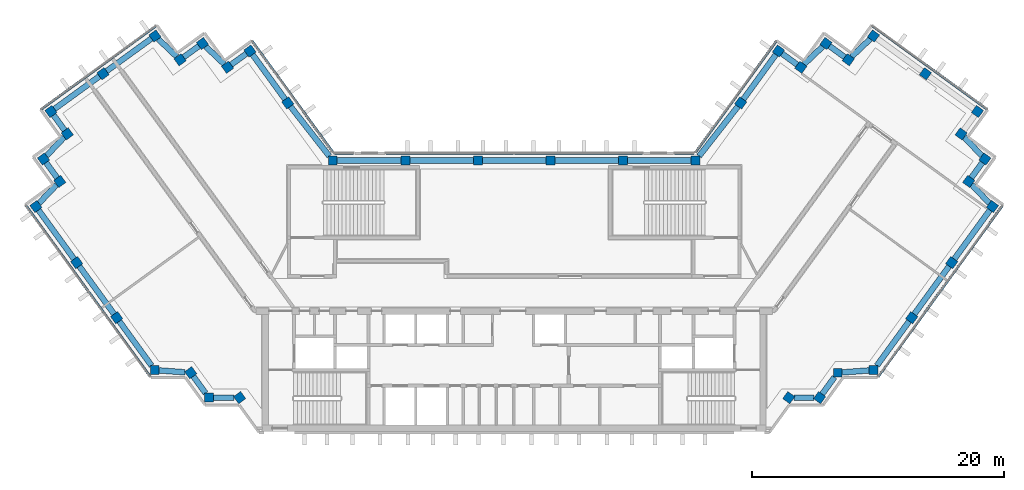
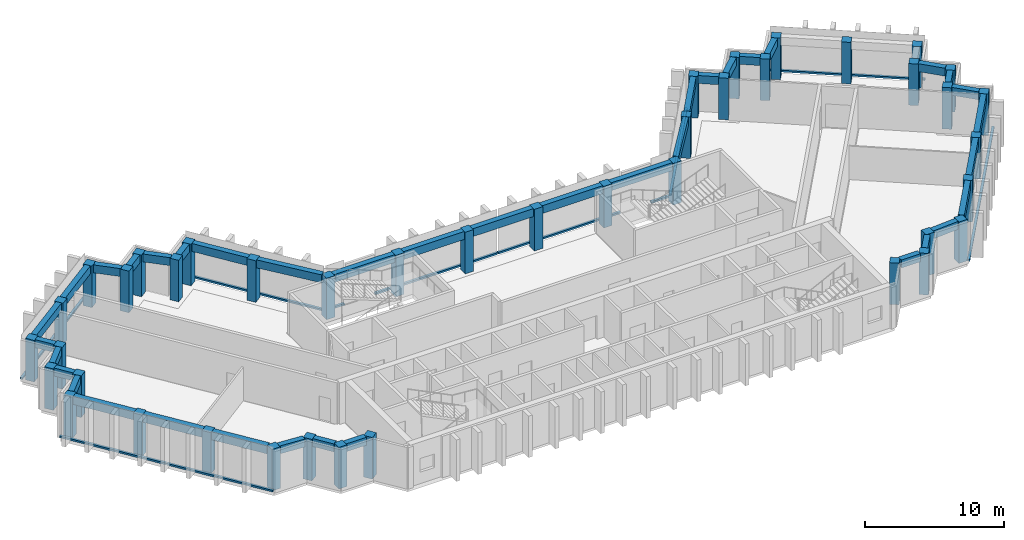
"""IFC4 building model written with IfcOpenShell, lengths in metres."""

import ifcopenshell
import ifcopenshell.guid

model = None  # the IFC model being written
_history = None  # IfcOwnerHistory: only IFC2X3 demands one
_inside = {}  # id of a spatial element -> (the spatial element, [elements in it])
_under = {}  # id of a project, library or spatial element -> (it, [spatial elements below it])
_declared = {}  # id of a project -> (the project, [libraries it declares])
_typed = {}  # id of a type object -> (the type object, [elements of that type])
_made_of = {}  # id of a material, layer set ... -> (it, [elements and type objects made of it])


def new_model(schema):
    """Start an empty IFC model of exactly this schema.

    Asked for "IFC4X3", IfcOpenShell would pick the latest addendum, in which some entities
    have other attributes; the version numbers below select the first issue.
    IFC2X3 requires an IfcOwnerHistory on every rooted entity: one is made here for all.
    """
    global model, _history
    if schema == "IFC4X3":
        model = ifcopenshell.file(schema_version=(4, 3, 0, 0))
    else:
        model = ifcopenshell.file(schema=schema)
    _inside.clear()
    _under.clear()
    _declared.clear()
    _typed.clear()
    _made_of.clear()
    _history = None
    if model.schema == "IFC2X3":
        org = make("IfcOrganization", Name="unknown")
        user = make(
            "IfcPersonAndOrganization",
            ThePerson=make("IfcPerson", FamilyName="unknown"),
            TheOrganization=org,
        )
        app = make(
            "IfcApplication",
            ApplicationDeveloper=org,
            Version="unknown",
            ApplicationFullName="unknown",
            ApplicationIdentifier="unknown",
        )
        _history = make(
            "IfcOwnerHistory",
            OwningUser=user,
            OwningApplication=app,
            ChangeAction="ADDED",
            CreationDate=0,
        )
    return model


def make(cls, **values):
    """One entity of the class cls with the attributes given. An attribute that is None is left unset."""
    return model.create_entity(
        cls, **{name: value for name, value in values.items() if value is not None}
    )


def rooted(cls, **values):
    """An entity with a GlobalId (a new one), such as an element, a storey or a relation."""
    return make(cls, GlobalId=ifcopenshell.guid.new(), OwnerHistory=_history, **values)


def si_unit(unit_type, name, prefix=None):
    """IfcSIUnit, for example si_unit("LENGTHUNIT", "METRE", prefix="MILLI")."""
    return make("IfcSIUnit", UnitType=unit_type, Prefix=prefix, Name=name)


def assignment(units):
    """IfcUnitAssignment: the units of a project."""
    return None if units is None else make("IfcUnitAssignment", Units=units)


def point(xyz):
    """IfcCartesianPoint."""
    return None if xyz is None else make("IfcCartesianPoint", Coordinates=xyz)


def direction(xyz):
    """IfcDirection."""
    return None if xyz is None else make("IfcDirection", DirectionRatios=xyz)


def frame(location, z_axis=None, x_axis=None):
    """IfcAxis2Placement3D, a coordinate frame: its origin and axes. An axis left out is left unset."""
    return make(
        "IfcAxis2Placement3D",
        Location=point(location),
        Axis=direction(z_axis),
        RefDirection=direction(x_axis),
    )


def frame_2d(location, x_axis=None):
    """IfcAxis2Placement2D, a coordinate frame in the plane: its origin and x axis."""
    return make(
        "IfcAxis2Placement2D", Location=point(location), RefDirection=direction(x_axis)
    )


def origin():
    """The frame at (0, 0, 0) with its axes left unset."""
    return frame((0.0, 0.0, 0.0))


def origin_2d():
    """The frame at (0, 0) in the plane with its x axis left unset."""
    return frame_2d((0.0, 0.0))


def place(relative_to, where):
    """IfcLocalPlacement: puts the frame where relative to a parent placement (None: the world)."""
    return make(
        "IfcLocalPlacement", PlacementRelTo=relative_to, RelativePlacement=where
    )


def context(
    kind, dimensions, precision=None, world=None, true_north=None, identifier=None
):
    """IfcGeometricRepresentationContext, for example the 3D "Model" context."""
    return make(
        "IfcGeometricRepresentationContext",
        ContextIdentifier=identifier,
        ContextType=kind,
        CoordinateSpaceDimension=dimensions,
        Precision=precision,
        WorldCoordinateSystem=world,
        TrueNorth=true_north,
    )


def subcontext(parent, identifier, kind, view, scale=None):
    """IfcGeometricRepresentationSubContext, for example "Body" below "Model"."""
    return make(
        "IfcGeometricRepresentationSubContext",
        ContextIdentifier=identifier,
        ContextType=kind,
        ParentContext=parent,
        TargetScale=scale,
        TargetView=view,
    )


def project(units=None, contexts=None):
    """IfcProject with its units and contexts."""
    return rooted(
        "IfcProject",
        Name="project",
        RepresentationContexts=contexts,
        UnitsInContext=assignment(units),
    )


def spatial(cls, under=None, at=None, **own):
    """A site, building, storey or space (cls), placed at a placement, below another one or the project."""
    s = rooted(cls, ObjectPlacement=at, **own)
    if under is not None:
        _under.setdefault(under.id(), (under, []))[1].append(s)
    return s


def profile(cls, at=None, kind="AREA", **sizes):
    """A parametric profile (cls). Its sizes go by their IFC names, for example OverallWidth=200.0."""
    return make(cls, ProfileType=kind, Position=at, **sizes)


def rectangle(**sizes):
    """IfcRectangleProfileDef."""
    return profile("IfcRectangleProfileDef", **sizes)


def extrude(swept, where, along, depth):
    """IfcExtrudedAreaSolid: the profile swept, set in the frame where, extruded along a direction by depth."""
    return make(
        "IfcExtrudedAreaSolid",
        SweptArea=swept,
        Position=where,
        ExtrudedDirection=direction(along),
        Depth=depth,
    )


def shape(context_of_items, identifier, shape_type, items):
    """IfcShapeRepresentation: the items that make up one representation, for example the "Body"."""
    return make(
        "IfcShapeRepresentation",
        ContextOfItems=context_of_items,
        RepresentationIdentifier=identifier,
        RepresentationType=shape_type,
        Items=items,
    )


def material(Name=None, Category=None):
    """IfcMaterial."""
    return make("IfcMaterial", Name=Name, Category=Category)


def material_profile(
    of_material, cross_section, Name=None, Category=None, Priority=None
):
    """IfcMaterialProfile: a cross section and its material."""
    return make(
        "IfcMaterialProfile",
        Name=Name,
        Material=of_material,
        Profile=cross_section,
        Priority=Priority,
        Category=Category,
    )


def profile_set(profiles, Name=None, composite=None):
    """IfcMaterialProfileSet."""
    return make(
        "IfcMaterialProfileSet",
        Name=Name,
        MaterialProfiles=profiles,
        CompositeProfile=composite,
    )


def made_of(thing, what):
    """Note that an element or type object is made of a material, layer set ...; save() writes the relation."""
    if what is not None:
        _made_of.setdefault(what.id(), (what, []))[1].append(thing)
    return thing


def type_object(cls, material=None, **own):
    """A type object (cls), such as IfcWallType, which elements share."""
    return made_of(rooted(cls, **own), material)


def element(
    cls,
    number,
    at=None,
    inside=None,
    cuts=None,
    type_object=None,
    material=None,
    context=None,
    identifier="Body",
    shape_type=None,
    held_by="IfcProductDefinitionShape",
    body=None,
    shapes=None,
    **own,
):
    """One element of the class cls, such as IfcWall. Its Tag is "e" and its number.

    at: its placement. inside: the storey or other place that contains it. cuts: it is an
    opening in that element (IfcRelVoidsElement). A single representation is given by context,
    identifier, shape_type and body (its items); several are given by shapes. held_by: the class
    of the entity that holds the representations. save() writes the other relations.
    """
    e = rooted(cls, Tag="e%d" % number, ObjectPlacement=at, **own)
    if body is not None:
        shapes = [shape(context, identifier, shape_type, body)]
    if shapes is not None:
        e.Representation = make(held_by, Representations=shapes)
    if inside is not None:
        _inside.setdefault(inside.id(), (inside, []))[1].append(e)
    if cuts is not None:
        rooted(
            "IfcRelVoidsElement", RelatingBuildingElement=cuts, RelatedOpeningElement=e
        )
    if type_object is not None:
        _typed.setdefault(type_object.id(), (type_object, []))[1].append(e)
    return made_of(e, material)


def aggregate(whole, parts):
    """IfcRelAggregates: a whole, such as a stair, and the parts it consists of."""
    return rooted("IfcRelAggregates", RelatingObject=whole, RelatedObjects=parts)


def save(model, path):
    """Write the relations noted so far, then the file.

    IfcRelAggregates (storeys below a building ...), IfcRelContainedInSpatialStructure (elements
    in a storey), IfcRelDefinesByType, IfcRelAssociatesMaterial and IfcRelDeclares: one each for
    every whole, place, type object, material and project.
    """
    for whole, parts in _under.values():
        aggregate(whole, parts)
    for where, things in _inside.values():
        rooted(
            "IfcRelContainedInSpatialStructure",
            RelatedElements=things,
            RelatingStructure=where,
        )
    for kind, things in _typed.values():
        rooted("IfcRelDefinesByType", RelatedObjects=things, RelatingType=kind)
    for what, things in _made_of.values():
        rooted("IfcRelAssociatesMaterial", RelatedObjects=things, RelatingMaterial=what)
    for by, libraries in _declared.values():
        rooted("IfcRelDeclares", RelatingContext=by, RelatedDefinitions=libraries)
    model.write(path)


model = new_model("IFC4")

# Units and contexts
model_context = context("Model", 3, precision=1e-05, world=origin(), true_north=direction((0.0, 1.0)))
body_context = subcontext(model_context, "Body", "Model", "MODEL_VIEW")
ifc_project = project(units=[si_unit("LENGTHUNIT", "METRE"), si_unit("AREAUNIT", "SQUARE_METRE"), si_unit("VOLUMEUNIT", "CUBIC_METRE"), si_unit("PLANEANGLEUNIT", "RADIAN"), si_unit("MASSUNIT", "GRAM", prefix="KILO")], contexts=[model_context])

# Site, building, storey
site_placement = place(None, origin())
site = spatial("IfcSite", under=ifc_project, at=site_placement, CompositionType="ELEMENT")
building_placement = place(site_placement, origin())
building = spatial("IfcBuilding", under=site, at=building_placement, Name="Quipu Civic Tower", CompositionType="ELEMENT")
storey_1_placement = place(building_placement, frame((0.0, 0.0, 281.0)))
storey_1 = spatial("IfcBuildingStorey", under=building, at=storey_1_placement, Name="L65", CompositionType="ELEMENT", Elevation=281.0)

# Columns
ifc_material_1 = material(Name="Concrete C50/60", Category="concrete")
ifc_material_profile_1 = material_profile(ifc_material_1, rectangle(XDim=0.699951171875, YDim=0.699951171875, at=origin_2d()), Name="RC700x700")
ifc_profile_set_1 = profile_set([ifc_material_profile_1], Name="Concrete C50/60")
column_type = type_object("IfcColumnType", Name="Perimeter column RC 700x700 C50/60", PredefinedType="COLUMN", material=ifc_profile_set_1)
for number, where, z_axis, x_axis, name in (
    (1, (-17.9736328125, 15.074951171875, 0.0), (0.0, 0.0, 1.0), (-0.587785252292, 0.809016994375, 0.0), "Column L65 W-IN-01"),
    (2, (-20.969970703125, 19.195068359375, 0.0), (0.0, 0.0, 1.0), (-0.587785252292, 0.809016994375, 0.0), "Column L65 T-Wi.0-W22"),
    (3, (-22.749267578125, 17.904296875, 0.0), (0.0, 0.0, 1.0), (-0.587785252292, 0.809016994375, 0.0), "Column L65 T-Wi.1-W22"),
    (4, (-24.739990234375, 19.794921875, 0.0), (0.0, 0.0, 1.0), (-0.587785252292, 0.809016994375, 0.0), "Column L65 T-Wi.2-W22"),
    (5, (-26.51904296875, 18.50048828125, 0.0), (0.0, 0.0, 1.0), (-0.587785252292, 0.809016994375, 0.0), "Column L65 T-Wi.3-W22"),
    (6, (-28.510009765625, 20.389892578125, 0.0), (0.0, 0.0, 1.0), (-0.809016994375, -0.587785252292, 0.0), "Column L65 T-Wi.4-W22"),
    (7, (-32.636962890625, 17.39306640625, 0.0), (0.0, 0.0, 1.0), (-0.809016994375, -0.587785252292, 0.0), "Column L65 TIP-W-01-W22"),
    (8, (-36.764892578125, 14.39501953125, 0.0), (0.0, 0.0, 1.0), (0.587785252292, -0.809016994375, 0.0), "Column L65 T-Wo.0-W22"),
    (9, (-35.470703125, 12.616455078125, 0.0), (0.0, 0.0, 1.0), (-0.809016994375, -0.587785252292, 0.0), "Column L65 T-Wo.1-W22"),
    (10, (-37.360107421875, 10.625, 0.0), (0.0, 0.0, 1.0), (0.587785252292, -0.809016994375, 0.0), "Column L65 T-Wo.2-W22"),
    (11, (-36.068115234375, 8.843994140625, 0.0), (0.0, 0.0, 1.0), (0.587785252292, -0.809016994375, 0.0), "Column L65 T-Wo.3-W22"),
    (12, (-37.9599609375, 6.85498046875, 0.0), (0.0, 0.0, 1.0), (0.587785252292, -0.809016994375, 0.0), "Column L65 T-Wo.4-W22"),
    (13, (-34.722412109375, 2.39990234375, 0.0), (0.0, 0.0, 1.0), (0.587785252292, -0.809016994375, 0.0), "Column L65 W-OUT-02"),
    (14, (-31.54833984375, -1.96875, 0.0), (0.0, 0.0, 1.0), (0.587785252292, -0.809016994375, 0.0), "Column L65 W-OUT-01"),
    (15, (-28.52490234375, -6.1298828125, 0.0), (0.0, 0.0, 1.0), (1.0, 0.0, 0.0), "Column L65 J-Wo.0"),
    (16, (-25.67431640625, -6.3369140625, 0.0), (0.0, 0.0, 1.0), (0.587785252292, -0.809016994375, 0.0), "Column L65 J-Wo.1"),
    (17, (-24.235107421875, -8.31494140625, 0.0), (0.0, 0.0, 1.0), (1.0, 0.0, 0.0), "Column L65 J-Wo.2"),
    (18, (-21.791748046875, -8.31494140625, 0.0), (0.0, 0.0, 1.0), (0.587785252292, -0.809016994375, 0.0), "Column L65 J-Wo.3"),
    (19, (21.791748046875, -8.31494140625, 0.0), (0.0, 0.0, 1.0), (0.587785252292, 0.809016994375, 0.0), "Column L65 J-Eo.1"),
    (20, (24.235107421875, -8.31494140625, 0.0), (0.0, 0.0, 1.0), (0.587785252292, 0.809016994375, 0.0), "Column L65 J-Eo.2"),
    (21, (25.67431640625, -6.3369140625, 0.0), (0.0, 0.0, 1.0), (1.0, 0.0, 0.0), "Column L65 J-Eo.3"),
    (22, (28.52490234375, -6.1298828125, 0.0), (0.0, 0.0, 1.0), (1.0, 0.0, 0.0), "Column L65 J-Eo.4"),
    (23, (31.54833984375, -1.96875, 0.0), (0.0, 0.0, 1.0), (0.587785252292, 0.809016994375, 0.0), "Column L65 E-OUT-01"),
    (24, (34.722412109375, 2.39990234375, 0.0), (0.0, 0.0, 1.0), (0.587785252292, 0.809016994375, 0.0), "Column L65 E-OUT-02"),
    (25, (37.9599609375, 6.85498046875, 0.0), (0.0, 0.0, 1.0), (0.587785252292, 0.809016994375, 0.0), "Column L65 T-Eo.0-E22"),
    (26, (36.068115234375, 8.843994140625, 0.0), (0.0, 0.0, 1.0), (0.587785252292, 0.809016994375, 0.0), "Column L65 T-Eo.1-E22"),
    (27, (37.360107421875, 10.625, 0.0), (0.0, 0.0, 1.0), (0.587785252292, 0.809016994375, 0.0), "Column L65 T-Eo.2-E22"),
    (28, (35.470703125, 12.616455078125, 0.0), (0.0, 0.0, 1.0), (-0.809016994375, 0.587785252292, 0.0), "Column L65 T-Eo.3-E22"),
    (29, (36.764892578125, 14.39501953125, 0.0), (0.0, 0.0, 1.0), (-0.809016994375, 0.587785252292, 0.0), "Column L65 T-Eo.4-E22"),
    (30, (32.636962890625, 17.39306640625, 0.0), (0.0, 0.0, 1.0), (-0.809016994375, 0.587785252292, 0.0), "Column L65 TIP-E-01-E22"),
    (31, (28.510009765625, 20.389892578125, 0.0), (0.0, 0.0, 1.0), (-0.587785252292, -0.809016994375, 0.0), "Column L65 T-Ei.0-E22"),
    (32, (26.51904296875, 18.50048828125, 0.0), (0.0, 0.0, 1.0), (-0.809016994375, 0.587785252292, 0.0), "Column L65 T-Ei.1-E22"),
    (33, (24.739990234375, 19.794921875, 0.0), (0.0, 0.0, 1.0), (-0.587785252292, -0.809016994375, 0.0), "Column L65 T-Ei.2-E22"),
    (34, (22.749267578125, 17.904296875, 0.0), (0.0, 0.0, 1.0), (-0.587785252292, -0.809016994375, 0.0), "Column L65 T-Ei.3-E22"),
    (35, (20.969970703125, 19.195068359375, 0.0), (0.0, 0.0, 1.0), (-0.587785252292, -0.809016994375, 0.0), "Column L65 T-Ei.4-E22"),
    (36, (17.9736328125, 15.074951171875, 0.0), (0.0, 0.0, 1.0), (-0.587785252292, -0.809016994375, 0.0), "Column L65 E-IN-01"),
    (37, (14.395263671875, 10.5, 0.0), (0.0, 0.0, 1.0), (-1.0, 0.0, 0.0), "Column L65 J-Ei.0"),
    (38, (8.63720703125, 10.5, 0.0), (0.0, 0.0, 1.0), (-1.0, 0.0, 0.0), "Column L65 FRONT-01"),
    (39, (2.87890625, 10.5, 0.0), (0.0, 0.0, 1.0), (-1.0, 0.0, 0.0), "Column L65 FRONT-02"),
    (40, (-2.87890625, 10.5, 0.0), (0.0, 0.0, 1.0), (-1.0, 0.0, 0.0), "Column L65 FRONT-03"),
    (41, (-8.63720703125, 10.5, 0.0), (0.0, 0.0, 1.0), (-1.0, 0.0, 0.0), "Column L65 FRONT-04"),
    (42, (-14.395263671875, 10.5, 0.0), (0.0, 0.0, 1.0), (-1.0, 0.0, 0.0), "Column L65 J-Wi.0"),
):
    element("IfcColumn", number, at=place(storey_1_placement, frame(where, z_axis=z_axis, x_axis=x_axis)), inside=storey_1, type_object=column_type, Name=name, PredefinedType="COLUMN", context=body_context, shape_type="SweptSolid", body=[
        extrude(rectangle(XDim=0.699951171875, YDim=0.699951171875, at=origin_2d()), origin(), (0.0, 0.0, 1.0), 3.64990234375),
    ])

# Beams
ifc_material_2 = material(Name="Concrete C50/60", Category="concrete")
ifc_material_profile_2 = material_profile(ifc_material_2, rectangle(XDim=0.449951171875, YDim=0.699951171875, at=origin_2d()), Name="RC450x700")
ifc_profile_set_2 = profile_set([ifc_material_profile_2], Name="Concrete C50/60")
beam_type = type_object("IfcBeamType", Name="Spandrel beam RC 450x700 C50/60", PredefinedType="SPANDREL", material=ifc_profile_set_2)
beam_1_placement = place(storey_1_placement, frame((-18.179443359375, 15.358154296875, 3.300048828125), z_axis=(-0.588201428764, 0.808714460857, 0.0), x_axis=(-0.808714460857, -0.588201428764, 0.0)))
element("IfcBeam", 43, at=beam_1_placement, inside=storey_1, type_object=beam_type, Name="Spandrel beam L65 W-IN-01 to T-Wi.0-W22", PredefinedType="SPANDREL", context=body_context, shape_type="SweptSolid", body=[
    extrude(rectangle(XDim=0.449951171875, YDim=0.699951171875, at=origin_2d()), origin(), (0.0, 0.0, 1.0), 4.394287109375),
])
beam_2_placement = place(storey_1_placement, frame((-21.25341796875, 18.989501953125, 3.300048828125), z_axis=(-0.809461336076, -0.587173181776, 0.0), x_axis=(0.587173181776, -0.809461336076, 0.0)))
element("IfcBeam", 44, at=beam_2_placement, inside=storey_1, type_object=beam_type, Name="Spandrel beam L65 T-Wi.0-W22 to T-Wi.1-W22", PredefinedType="SPANDREL", context=body_context, shape_type="SweptSolid", body=[
    extrude(rectangle(XDim=0.449951171875, YDim=0.699951171875, at=origin_2d()), origin(), (0.0, 0.0, 1.0), 1.498046875),
])
beam_3_placement = place(storey_1_placement, frame((-23.00732421875, 18.1494140625, 3.300048828125), z_axis=(-0.72511931772, 0.6886232461, 0.0), x_axis=(-0.6886232461, -0.72511931772, 0.0)))
element("IfcBeam", 45, at=beam_3_placement, inside=storey_1, type_object=beam_type, Name="Spandrel beam L65 T-Wi.1-W22 to T-Wi.2-W22", PredefinedType="SPANDREL", context=body_context, shape_type="SweptSolid", body=[
    extrude(rectangle(XDim=0.449951171875, YDim=0.699951171875, at=origin_2d()), origin(), (0.0, 0.0, 1.0), 2.03369140625),
])
beam_4_placement = place(storey_1_placement, frame((-25.02294921875, 19.589111328125, 3.300048828125), z_axis=(-0.808644589435, -0.588297482553, 0.0), x_axis=(0.588297482553, -0.808644589435, 0.0)))
element("IfcBeam", 46, at=beam_4_placement, inside=storey_1, type_object=beam_type, Name="Spandrel beam L65 T-Wi.2-W22 to T-Wi.3-W22", PredefinedType="SPANDREL", context=body_context, shape_type="SweptSolid", body=[
    extrude(rectangle(XDim=0.449951171875, YDim=0.699951171875, at=origin_2d()), origin(), (0.0, 0.0, 1.0), 1.500244140625),
])
beam_5_placement = place(storey_1_placement, frame((-26.777099609375, 18.74560546875, 3.300048828125), z_axis=(-0.725359138958, 0.688370626574, 0.0), x_axis=(-0.688370626574, -0.725359138958, 0.0)))
element("IfcBeam", 47, at=beam_5_placement, inside=storey_1, type_object=beam_type, Name="Spandrel beam L65 T-Wi.3-W22 to T-Wi.4-W22", PredefinedType="SPANDREL", context=body_context, shape_type="SweptSolid", body=[
    extrude(rectangle(XDim=0.449951171875, YDim=0.699951171875, at=origin_2d()), origin(), (0.0, 0.0, 1.0), 2.032958984375),
])
beam_6_placement = place(storey_1_placement, frame((-28.793212890625, 20.184326171875, 3.300048828125), z_axis=(-0.809146152767, -0.587607439931, 0.0), x_axis=(0.587607439931, -0.809146152767, 0.0)))
element("IfcBeam", 48, at=beam_6_placement, inside=storey_1, type_object=beam_type, Name="Spandrel beam L65 T-Wi.4-W22 to TIP-W-01-W22", PredefinedType="SPANDREL", context=body_context, shape_type="SweptSolid", body=[
    extrude(rectangle(XDim=0.449951171875, YDim=0.699951171875, at=origin_2d()), origin(), (0.0, 0.0, 1.0), 4.400390625),
])
beam_7_placement = place(storey_1_placement, frame((-32.920166015625, 17.187255859375, 3.300048828125), z_axis=(-0.809117270763, -0.587647208921, 0.0), x_axis=(0.587647208921, -0.809117270763, 0.0)))
element("IfcBeam", 49, at=beam_7_placement, inside=storey_1, type_object=beam_type, Name="Spandrel beam L65 TIP-W-01-W22 to T-Wo.0-W22", PredefinedType="SPANDREL", context=body_context, shape_type="SweptSolid", body=[
    extrude(rectangle(XDim=0.449951171875, YDim=0.699951171875, at=origin_2d()), origin(), (0.0, 0.0, 1.0), 4.40185546875),
])
beam_8_placement = place(storey_1_placement, frame((-36.55908203125, 14.112060546875, 3.300048828125), z_axis=(0.588345920092, -0.808609348394, 0.0), x_axis=(0.808609348394, 0.588345920092, 0.0)))
element("IfcBeam", 50, at=beam_8_placement, inside=storey_1, type_object=beam_type, Name="Spandrel beam L65 T-Wo.0-W22 to T-Wo.1-W22", PredefinedType="SPANDREL", context=body_context, shape_type="SweptSolid", body=[
    extrude(rectangle(XDim=0.449951171875, YDim=0.699951171875, at=origin_2d()), origin(), (0.0, 0.0, 1.0), 1.499755859375),
])
beam_9_placement = place(storey_1_placement, frame((-35.7158203125, 12.358154296875, 3.300048828125), z_axis=(-0.688247466856, -0.725475998477, 0.0), x_axis=(0.725475998477, -0.688247466856, 0.0)))
element("IfcBeam", 51, at=beam_9_placement, inside=storey_1, type_object=beam_type, Name="Spandrel beam L65 T-Wo.1-W22 to T-Wo.2-W22", PredefinedType="SPANDREL", context=body_context, shape_type="SweptSolid", body=[
    extrude(rectangle(XDim=0.449951171875, YDim=0.699951171875, at=origin_2d()), origin(), (0.0, 0.0, 1.0), 2.032958984375),
])
beam_10_placement = place(storey_1_placement, frame((-37.154541015625, 10.341796875, 3.300048828125), z_axis=(0.587164895097, -0.809467347066, 0.0), x_axis=(0.809467347066, 0.587164895097, 0.0)))
element("IfcBeam", 52, at=beam_10_placement, inside=storey_1, type_object=beam_type, Name="Spandrel beam L65 T-Wo.2-W22 to T-Wo.3-W22", PredefinedType="SPANDREL", context=body_context, shape_type="SweptSolid", body=[
    extrude(rectangle(XDim=0.449951171875, YDim=0.699951171875, at=origin_2d()), origin(), (0.0, 0.0, 1.0), 1.500244140625),
])
beam_11_placement = place(storey_1_placement, frame((-36.3134765625, 8.586181640625, 3.300048828125), z_axis=(-0.689175330605, -0.724594620244, 0.0), x_axis=(0.724594620244, -0.689175330605, 0.0)))
element("IfcBeam", 53, at=beam_11_placement, inside=storey_1, type_object=beam_type, Name="Spandrel beam L65 T-Wo.3-W22 to T-Wo.4-W22", PredefinedType="SPANDREL", context=body_context, shape_type="SweptSolid", body=[
    extrude(rectangle(XDim=0.449951171875, YDim=0.699951171875, at=origin_2d()), origin(), (0.0, 0.0, 1.0), 2.033447265625),
])
beam_12_placement = place(storey_1_placement, frame((-37.754150390625, 6.57177734375, 3.300048828125), z_axis=(0.587905928359, -0.808929304328, 0.0), x_axis=(0.808929304328, 0.587905928359, 0.0)))
element("IfcBeam", 54, at=beam_12_placement, inside=storey_1, type_object=beam_type, Name="Spandrel beam L65 T-Wo.4-W22 to W-OUT-02", PredefinedType="SPANDREL", context=body_context, shape_type="SweptSolid", body=[
    extrude(rectangle(XDim=0.449951171875, YDim=0.699951171875, at=origin_2d()), origin(), (0.0, 0.0, 1.0), 4.80712890625),
])
beam_13_placement = place(storey_1_placement, frame((-34.5166015625, 2.116943359375, 3.300048828125), z_axis=(0.587788656305, -0.809014521204, 0.0), x_axis=(0.809014521204, 0.587788656305, 0.0)))
element("IfcBeam", 55, at=beam_13_placement, inside=storey_1, type_object=beam_type, Name="Spandrel beam L65 W-OUT-02 to W-OUT-01", PredefinedType="SPANDREL", context=body_context, shape_type="SweptSolid", body=[
    extrude(rectangle(XDim=0.449951171875, YDim=0.699951171875, at=origin_2d()), origin(), (0.0, 0.0, 1.0), 4.7001953125),
])
beam_14_placement = place(storey_1_placement, frame((-31.342529296875, -2.251953125, 3.300048828125), z_axis=(0.58777550284, -0.809024077677, 0.0), x_axis=(0.809024077677, 0.58777550284, 0.0)))
element("IfcBeam", 56, at=beam_14_placement, inside=storey_1, type_object=beam_type, Name="Spandrel beam L65 W-OUT-01 to J-Wo.0", PredefinedType="SPANDREL", context=body_context, shape_type="SweptSolid", body=[
    extrude(rectangle(XDim=0.449951171875, YDim=0.699951171875, at=origin_2d()), origin(), (0.0, 0.0, 1.0), 4.36083984375),
])
beam_15_placement = place(storey_1_placement, frame((-28.175048828125, -6.155517578125, 3.300048828125), z_axis=(0.99737333325, -0.072432272649, 0.0), x_axis=(0.072432272649, 0.99737333325, 0.0)))
element("IfcBeam", 57, at=beam_15_placement, inside=storey_1, type_object=beam_type, Name="Spandrel beam L65 J-Wo.0 to J-Wo.1", PredefinedType="SPANDREL", context=body_context, shape_type="SweptSolid", body=[
    extrude(rectangle(XDim=0.449951171875, YDim=0.699951171875, at=origin_2d()), origin(), (0.0, 0.0, 1.0), 2.04931640625),
])
beam_16_placement = place(storey_1_placement, frame((-25.468505859375, -6.6201171875, 3.300048828125), z_axis=(0.588407300614, -0.80856468423, 0.0), x_axis=(0.80856468423, 0.588407300614, 0.0)))
element("IfcBeam", 58, at=beam_16_placement, inside=storey_1, type_object=beam_type, Name="Spandrel beam L65 J-Wo.1 to J-Wo.2", PredefinedType="SPANDREL", context=body_context, shape_type="SweptSolid", body=[
    extrude(rectangle(XDim=0.449951171875, YDim=0.699951171875, at=origin_2d()), origin(), (0.0, 0.0, 1.0), 1.663330078125),
])
beam_17_placement = place(storey_1_placement, frame((-23.885009765625, -8.31494140625, 3.300048828125), z_axis=(1.0, 0.0, 0.0), x_axis=(0.0, 1.0, 0.0)))
element("IfcBeam", 59, at=beam_17_placement, inside=storey_1, type_object=beam_type, Name="Spandrel beam L65 J-Wo.2 to J-Wo.3", PredefinedType="SPANDREL", context=body_context, shape_type="SweptSolid", body=[
    extrude(rectangle(XDim=0.449951171875, YDim=0.699951171875, at=origin_2d()), origin(), (0.0, 0.0, 1.0), 1.66064453125),
])
beam_18_placement = place(storey_1_placement, frame((22.224365234375, -8.31494140625, 3.300048828125), z_axis=(1.0, 0.0, 0.0), x_axis=(0.0, 1.0, 0.0)))
element("IfcBeam", 60, at=beam_18_placement, inside=storey_1, type_object=beam_type, Name="Spandrel beam L65 J-Eo.1 to J-Eo.2", PredefinedType="SPANDREL", context=body_context, shape_type="SweptSolid", body=[
    extrude(rectangle(XDim=0.449951171875, YDim=0.699951171875, at=origin_2d()), origin(), (0.0, 0.0, 1.0), 1.578125),
])
beam_19_placement = place(storey_1_placement, frame((24.44091796875, -8.031982421875, 3.300048828125), z_axis=(0.588407300614, 0.80856468423, 0.0), x_axis=(-0.80856468423, 0.588407300614, 0.0)))
element("IfcBeam", 61, at=beam_19_placement, inside=storey_1, type_object=beam_type, Name="Spandrel beam L65 J-Eo.2 to J-Eo.3", PredefinedType="SPANDREL", context=body_context, shape_type="SweptSolid", body=[
    extrude(rectangle(XDim=0.449951171875, YDim=0.699951171875, at=origin_2d()), origin(), (0.0, 0.0, 1.0), 1.663330078125),
])
beam_20_placement = place(storey_1_placement, frame((26.0244140625, -6.3115234375, 3.300048828125), z_axis=(0.997379352029, 0.072349347934, 0.0), x_axis=(-0.072349347934, 0.997379352029, 0.0)))
element("IfcBeam", 62, at=beam_20_placement, inside=storey_1, type_object=beam_type, Name="Spandrel beam L65 J-Eo.3 to J-Eo.4", PredefinedType="SPANDREL", context=body_context, shape_type="SweptSolid", body=[
    extrude(rectangle(XDim=0.449951171875, YDim=0.699951171875, at=origin_2d()), origin(), (0.0, 0.0, 1.0), 2.15625),
])
beam_21_placement = place(storey_1_placement, frame((28.779296875, -5.780029296875, 3.300048828125), z_axis=(0.58777550284, 0.809024077677, 0.0), x_axis=(-0.809024077677, 0.58777550284, 0.0)))
element("IfcBeam", 63, at=beam_21_placement, inside=storey_1, type_object=beam_type, Name="Spandrel beam L65 J-Eo.4 to E-OUT-01", PredefinedType="SPANDREL", context=body_context, shape_type="SweptSolid", body=[
    extrude(rectangle(XDim=0.449951171875, YDim=0.699951171875, at=origin_2d()), origin(), (0.0, 0.0, 1.0), 4.36083984375),
])
beam_22_placement = place(storey_1_placement, frame((31.75390625, -1.685546875, 3.300048828125), z_axis=(0.587788656305, 0.809014521204, 0.0), x_axis=(-0.809014521204, 0.587788656305, 0.0)))
element("IfcBeam", 64, at=beam_22_placement, inside=storey_1, type_object=beam_type, Name="Spandrel beam L65 E-OUT-01 to E-OUT-02", PredefinedType="SPANDREL", context=body_context, shape_type="SweptSolid", body=[
    extrude(rectangle(XDim=0.449951171875, YDim=0.699951171875, at=origin_2d()), origin(), (0.0, 0.0, 1.0), 4.7001953125),
])
beam_23_placement = place(storey_1_placement, frame((34.927978515625, 2.68310546875, 3.300048828125), z_axis=(0.587905928359, 0.808929304328, 0.0), x_axis=(-0.808929304328, 0.587905928359, 0.0)))
element("IfcBeam", 65, at=beam_23_placement, inside=storey_1, type_object=beam_type, Name="Spandrel beam L65 E-OUT-02 to T-Eo.0-E22", PredefinedType="SPANDREL", context=body_context, shape_type="SweptSolid", body=[
    extrude(rectangle(XDim=0.449951171875, YDim=0.699951171875, at=origin_2d()), origin(), (0.0, 0.0, 1.0), 4.80712890625),
])
beam_24_placement = place(storey_1_placement, frame((37.71484375, 7.11279296875, 3.300048828125), z_axis=(-0.689175330605, 0.724594620244, 0.0), x_axis=(-0.724594620244, -0.689175330605, 0.0)))
element("IfcBeam", 66, at=beam_24_placement, inside=storey_1, type_object=beam_type, Name="Spandrel beam L65 T-Eo.0-E22 to T-Eo.1-E22", PredefinedType="SPANDREL", context=body_context, shape_type="SweptSolid", body=[
    extrude(rectangle(XDim=0.449951171875, YDim=0.699951171875, at=origin_2d()), origin(), (0.0, 0.0, 1.0), 2.033447265625),
])
beam_25_placement = place(storey_1_placement, frame((36.273681640625, 9.12744140625, 3.300048828125), z_axis=(0.587164895097, 0.809467347066, 0.0), x_axis=(-0.809467347066, 0.587164895097, 0.0)))
element("IfcBeam", 67, at=beam_25_placement, inside=storey_1, type_object=beam_type, Name="Spandrel beam L65 T-Eo.1-E22 to T-Eo.2-E22", PredefinedType="SPANDREL", context=body_context, shape_type="SweptSolid", body=[
    extrude(rectangle(XDim=0.449951171875, YDim=0.699951171875, at=origin_2d()), origin(), (0.0, 0.0, 1.0), 1.500244140625),
])
for number, where, z_axis, x_axis, name in (
    (68, (37.114990234375, 10.88330078125, 3.300048828125), (-0.688247466856, 0.725475998477, 0.0), (-0.725475998477, -0.688247466856, 0.0), "Spandrel beam L65 T-Eo.2-E22 to T-Eo.3-E22"),
    (69, (28.251708984375, 20.14501953125, 3.300048828125), (-0.725359138958, -0.688370626574, 0.0), (0.688370626574, -0.725359138958, 0.0), "Spandrel beam L65 T-Ei.0-E22 to T-Ei.1-E22"),
):
    element("IfcBeam", number, at=place(storey_1_placement, frame(where, z_axis=z_axis, x_axis=x_axis)), inside=storey_1, type_object=beam_type, Name=name, PredefinedType="SPANDREL", context=body_context, shape_type="SweptSolid", body=[
        extrude(rectangle(XDim=0.449951171875, YDim=0.699951171875, at=origin_2d()), origin(), (0.0, 0.0, 1.0), 2.032958984375),
    ])
beam_26_placement = place(storey_1_placement, frame((26.236083984375, 18.70654296875, 3.300048828125), z_axis=(-0.808644589435, 0.588297482553, 0.0), x_axis=(-0.588297482553, -0.808644589435, 0.0)))
element("IfcBeam", 70, at=beam_26_placement, inside=storey_1, type_object=beam_type, Name="Spandrel beam L65 T-Ei.1-E22 to T-Ei.2-E22", PredefinedType="SPANDREL", context=body_context, shape_type="SweptSolid", body=[
    extrude(rectangle(XDim=0.449951171875, YDim=0.699951171875, at=origin_2d()), origin(), (0.0, 0.0, 1.0), 1.500244140625),
])
beam_27_placement = place(storey_1_placement, frame((24.48193359375, 19.5498046875, 3.300048828125), z_axis=(-0.72511931772, -0.6886232461, 0.0), x_axis=(0.6886232461, -0.72511931772, 0.0)))
element("IfcBeam", 71, at=beam_27_placement, inside=storey_1, type_object=beam_type, Name="Spandrel beam L65 T-Ei.2-E22 to T-Ei.3-E22", PredefinedType="SPANDREL", context=body_context, shape_type="SweptSolid", body=[
    extrude(rectangle(XDim=0.449951171875, YDim=0.699951171875, at=origin_2d()), origin(), (0.0, 0.0, 1.0), 2.03369140625),
])
beam_28_placement = place(storey_1_placement, frame((22.466064453125, 18.10986328125, 3.300048828125), z_axis=(-0.809461336076, 0.587173181776, 0.0), x_axis=(-0.587173181776, -0.809461336076, 0.0)))
element("IfcBeam", 72, at=beam_28_placement, inside=storey_1, type_object=beam_type, Name="Spandrel beam L65 T-Ei.3-E22 to T-Ei.4-E22", PredefinedType="SPANDREL", context=body_context, shape_type="SweptSolid", body=[
    extrude(rectangle(XDim=0.449951171875, YDim=0.699951171875, at=origin_2d()), origin(), (0.0, 0.0, 1.0), 1.498046875),
])
beam_29_placement = place(storey_1_placement, frame((20.76416015625, 18.911865234375, 3.300048828125), z_axis=(-0.588201428764, -0.808714460857, 0.0), x_axis=(0.808714460857, -0.588201428764, 0.0)))
element("IfcBeam", 73, at=beam_29_placement, inside=storey_1, type_object=beam_type, Name="Spandrel beam L65 T-Ei.4-E22 to E-IN-01", PredefinedType="SPANDREL", context=body_context, shape_type="SweptSolid", body=[
    extrude(rectangle(XDim=0.449951171875, YDim=0.699951171875, at=origin_2d()), origin(), (0.0, 0.0, 1.0), 4.394287109375),
])
beam_30_placement = place(storey_1_placement, frame((17.7578125, 14.799072265625, 3.300048828125), z_axis=(-0.616106034519, -0.787663223865, 0.0), x_axis=(0.787663223865, -0.616106034519, 0.0)))
element("IfcBeam", 74, at=beam_30_placement, inside=storey_1, type_object=beam_type, Name="Spandrel beam L65 E-IN-01 to J-Ei.0", PredefinedType="SPANDREL", context=body_context, shape_type="SweptSolid", body=[
    extrude(rectangle(XDim=0.449951171875, YDim=0.699951171875, at=origin_2d()), origin(), (0.0, 0.0, 1.0), 5.013427734375),
])
for number, where, z_axis, x_axis, name in (
    (75, (14.045166015625, 10.5, 3.300048828125), (-1.0, 0.0, 0.0), (0.0, -1.0, 0.0), "Spandrel beam L65 J-Ei.0 to FRONT-01"),
    (76, (8.287109375, 10.5, 3.300048828125), (-1.0, 0.0, 0.0), (0.0, -1.0, 0.0), "Spandrel beam L65 FRONT-01 to FRONT-02"),
    (77, (2.529052734375, 10.5, 3.300048828125), (-1.0, 0.0, 0.0), (0.0, -1.0, 0.0), "Spandrel beam L65 FRONT-02 to FRONT-03"),
    (78, (-3.22900390625, 10.5, 3.300048828125), (-1.0, 0.0, 0.0), (0.0, -1.0, 0.0), "Spandrel beam L65 FRONT-03 to FRONT-04"),
    (79, (-8.987060546875, 10.5, 3.300048828125), (-1.0, 0.0, 0.0), (0.0, -1.0, 0.0), "Spandrel beam L65 FRONT-04 to J-Wi.0"),
):
    element("IfcBeam", number, at=place(storey_1_placement, frame(where, z_axis=z_axis, x_axis=x_axis)), inside=storey_1, type_object=beam_type, Name=name, PredefinedType="SPANDREL", context=body_context, shape_type="SweptSolid", body=[
        extrude(rectangle(XDim=0.449951171875, YDim=0.699951171875, at=origin_2d()), origin(), (0.0, 0.0, 1.0), 5.05810546875),
    ])
beam_31_placement = place(storey_1_placement, frame((-14.6689453125, 10.85009765625, 3.300048828125), z_axis=(-0.616106034519, 0.787663223865, 0.0), x_axis=(-0.787663223865, -0.616106034519, 0.0)))
element("IfcBeam", 80, at=beam_31_placement, inside=storey_1, type_object=beam_type, Name="Spandrel beam L65 J-Wi.0 to W-IN-01", PredefinedType="SPANDREL", context=body_context, shape_type="SweptSolid", body=[
    extrude(rectangle(XDim=0.449951171875, YDim=0.699951171875, at=origin_2d()), origin(), (0.0, 0.0, 1.0), 5.013427734375),
])

# Storey
storey_2_placement = place(building_placement, frame((0.0, 0.0, 285.0)))
storey_2 = spatial("IfcBuildingStorey", under=building, at=storey_2_placement, Name="L66", CompositionType="ELEMENT", Elevation=285.0)

# Curtain wall, member
ifc_material_3 = material(Name="Insulated glass unit", Category="glass")
curtain_wall_type = type_object("IfcCurtainWallType", Name="Office curtain wall CW1", PredefinedType="NOTDEFINED", material=ifc_material_3)
curtain_wall_1_placement = place(storey_2_placement, origin())
curtain_wall_1 = element("IfcCurtainWall", 81, at=curtain_wall_1_placement, inside=storey_2, type_object=curtain_wall_type, Name="Office curtain wall CW1 L65 run 1", PredefinedType="NOTDEFINED")
ifc_material_4 = material(Name="Anodised aluminium", Category="aluminium")
ifc_material_profile_3 = material_profile(ifc_material_4, rectangle(XDim=0.199951171875, YDim=0.159912109375, at=origin_2d()), Name="RECT 200x160")
ifc_profile_set_3 = profile_set([ifc_material_profile_3], Name="Anodised aluminium")
member_type = type_object("IfcMemberType", Name="Transom CW1", PredefinedType="USERDEFINED", material=ifc_profile_set_3)
member_1_placement = place(storey_1_placement, frame((-14.39111328125, 11.164794921875, 0.159912109375), z_axis=(-0.587796859727, 0.809008560953, 0.0), x_axis=(-0.809008560953, -0.587796859727, 0.0)))
member_1 = element("IfcMember", 82, at=member_1_placement, inside=storey_1, type_object=member_type, Name="CW1 transom 1.1", ObjectType="TRANSOM", PredefinedType="USERDEFINED", context=body_context, shape_type="SweptSolid", body=[
    extrude(rectangle(XDim=0.199951171875, YDim=0.159912109375, at=origin_2d()), origin(), (0.0, 0.0, 1.0), 10.88427734375),
])
aggregate(curtain_wall_1, [member_1])

curtain_wall_2_placement = place(storey_2_placement, origin())
curtain_wall_2 = element("IfcCurtainWall", 83, at=curtain_wall_2_placement, inside=storey_2, type_object=curtain_wall_type, Name="Office curtain wall CW1 L65 run 6", PredefinedType="NOTDEFINED")
member_2_placement = place(storey_1_placement, frame((-28.443359375, 21.1826171875, 0.159912109375), z_axis=(-0.809022463805, -0.587777724194, 0.0), x_axis=(0.587777724194, -0.809022463805, 0.0)))
member_2 = element("IfcMember", 84, at=member_2_placement, inside=storey_1, type_object=member_type, Name="CW1 transom 1.1", ObjectType="TRANSOM", PredefinedType="USERDEFINED", context=body_context, shape_type="SweptSolid", body=[
    extrude(rectangle(XDim=0.199951171875, YDim=0.159912109375, at=origin_2d()), origin(), (0.0, 0.0, 1.0), 11.240234375),
])
aggregate(curtain_wall_2, [member_2])

# Curtain wall, members
curtain_wall_3_placement = place(storey_2_placement, origin())
curtain_wall_3 = element("IfcCurtainWall", 85, at=curtain_wall_3_placement, inside=storey_2, type_object=curtain_wall_type, Name="Office curtain wall CW1 L65 run 11", PredefinedType="NOTDEFINED")
member_3_placement = place(storey_1_placement, frame((-38.7490234375, 6.92138671875, 0.159912109375), z_axis=(0.587779098815, -0.809021465102, 0.0), x_axis=(0.809021465102, 0.587779098815, 0.0)))
member_3 = element("IfcMember", 86, at=member_3_placement, inside=storey_1, type_object=member_type, Name="CW1 transom 1.1", ObjectType="TRANSOM", PredefinedType="USERDEFINED", context=body_context, shape_type="SweptSolid", body=[
    extrude(rectangle(XDim=0.199951171875, YDim=0.159912109375, at=origin_2d()), origin(), (0.0, 0.0, 1.0), 8.35791015625),
])
member_4_placement = place(storey_1_placement, frame((-33.78955078125, 0.094970703125, 0.159912109375), z_axis=(0.587812107925, -0.808997481935, 0.0), x_axis=(0.808997481935, 0.587812107925, 0.0)))
member_4 = element("IfcMember", 87, at=member_4_placement, inside=storey_1, type_object=member_type, Name="CW1 transom 2.1", ObjectType="TRANSOM", PredefinedType="USERDEFINED", context=body_context, shape_type="SweptSolid", body=[
    extrude(rectangle(XDim=0.199951171875, YDim=0.159912109375, at=origin_2d()), origin(), (0.0, 0.0, 1.0), 8.35791015625),
])
aggregate(curtain_wall_3, [member_3, member_4])

curtain_wall_4_placement = place(storey_2_placement, origin())
curtain_wall_4 = element("IfcCurtainWall", 88, at=curtain_wall_4_placement, inside=storey_2, type_object=curtain_wall_type, Name="Office curtain wall CW1 L65 run 23", PredefinedType="NOTDEFINED")
member_5_placement = place(storey_1_placement, frame((28.876708984375, -6.66650390625, 0.159912109375), z_axis=(0.587812107925, 0.808997481935, 0.0), x_axis=(-0.808997481935, 0.587812107925, 0.0)))
member_5 = element("IfcMember", 89, at=member_5_placement, inside=storey_1, type_object=member_type, Name="CW1 transom 1.1", ObjectType="TRANSOM", PredefinedType="USERDEFINED", context=body_context, shape_type="SweptSolid", body=[
    extrude(rectangle(XDim=0.199951171875, YDim=0.159912109375, at=origin_2d()), origin(), (0.0, 0.0, 1.0), 8.35791015625),
])
member_6_placement = place(storey_1_placement, frame((33.83642578125, 0.15966796875, 0.159912109375), z_axis=(0.587779098815, 0.809021465102, 0.0), x_axis=(-0.809021465102, 0.587779098815, 0.0)))
member_6 = element("IfcMember", 90, at=member_6_placement, inside=storey_1, type_object=member_type, Name="CW1 transom 2.1", ObjectType="TRANSOM", PredefinedType="USERDEFINED", context=body_context, shape_type="SweptSolid", body=[
    extrude(rectangle(XDim=0.199951171875, YDim=0.159912109375, at=origin_2d()), origin(), (0.0, 0.0, 1.0), 8.35791015625),
])
aggregate(curtain_wall_4, [member_5, member_6])

# Curtain wall, member
curtain_wall_5_placement = place(storey_2_placement, origin())
curtain_wall_5 = element("IfcCurtainWall", 91, at=curtain_wall_5_placement, inside=storey_2, type_object=curtain_wall_type, Name="Office curtain wall CW1 L65 run 28", PredefinedType="NOTDEFINED")
member_7_placement = place(storey_1_placement, frame((37.536865234375, 14.575927734375, 0.159912109375), z_axis=(-0.809022463805, 0.587777724194, 0.0), x_axis=(-0.587777724194, -0.809022463805, 0.0)))
member_7 = element("IfcMember", 92, at=member_7_placement, inside=storey_1, type_object=member_type, Name="CW1 transom 1.1", ObjectType="TRANSOM", PredefinedType="USERDEFINED", context=body_context, shape_type="SweptSolid", body=[
    extrude(rectangle(XDim=0.199951171875, YDim=0.159912109375, at=origin_2d()), origin(), (0.0, 0.0, 1.0), 11.240234375),
])
aggregate(curtain_wall_5, [member_7])

curtain_wall_6_placement = place(storey_2_placement, origin())
curtain_wall_6 = element("IfcCurtainWall", 93, at=curtain_wall_6_placement, inside=storey_2, type_object=curtain_wall_type, Name="Office curtain wall CW1 L65 run 33", PredefinedType="NOTDEFINED")
member_8_placement = place(storey_1_placement, frame((20.788818359375, 19.97021484375, 0.159912109375), z_axis=(-0.587796859727, -0.809008560953, 0.0), x_axis=(0.809008560953, -0.587796859727, 0.0)))
member_8 = element("IfcMember", 94, at=member_8_placement, inside=storey_1, type_object=member_type, Name="CW1 transom 1.1", ObjectType="TRANSOM", PredefinedType="USERDEFINED", context=body_context, shape_type="SweptSolid", body=[
    extrude(rectangle(XDim=0.199951171875, YDim=0.159912109375, at=origin_2d()), origin(), (0.0, 0.0, 1.0), 10.88427734375),
])
aggregate(curtain_wall_6, [member_8])

curtain_wall_7_placement = place(storey_2_placement, origin())
curtain_wall_7 = element("IfcCurtainWall", 95, at=curtain_wall_7_placement, inside=storey_2, type_object=curtain_wall_type, Name="Office curtain wall CW1 L65 run 34", PredefinedType="NOTDEFINED")
member_9_placement = place(storey_1_placement, frame((14.26416015625, 11.10009765625, 0.159912109375), z_axis=(-1.0, 0.0, 0.0), x_axis=(0.0, -1.0, 0.0)))
member_9 = element("IfcMember", 96, at=member_9_placement, inside=storey_1, type_object=member_type, Name="CW1 transom 1.1", ObjectType="TRANSOM", PredefinedType="USERDEFINED", context=body_context, shape_type="SweptSolid", body=[
    extrude(rectangle(XDim=0.199951171875, YDim=0.159912109375, at=origin_2d()), origin(), (0.0, 0.0, 1.0), 1.529052734375),
])
aggregate(curtain_wall_7, [member_9])

# Curtain wall, members
curtain_wall_8_placement = place(storey_2_placement, origin())
curtain_wall_8 = element("IfcCurtainWall", 97, at=curtain_wall_8_placement, inside=storey_2, type_object=curtain_wall_type, Name="Office curtain wall CW1 L65 run 36", PredefinedType="NOTDEFINED")
member_10_placement = place(storey_1_placement, frame((10.18359375, 11.10009765625, 0.159912109375), z_axis=(-1.0, 0.0, 0.0), x_axis=(0.0, -1.0, 0.0)))
member_10 = element("IfcMember", 98, at=member_10_placement, inside=storey_1, type_object=member_type, Name="CW1 transom 1.1", ObjectType="TRANSOM", PredefinedType="USERDEFINED", context=body_context, shape_type="SweptSolid", body=[
    extrude(rectangle(XDim=0.199951171875, YDim=0.159912109375, at=origin_2d()), origin(), (0.0, 0.0, 1.0), 10.1435546875),
])
member_11_placement = place(storey_1_placement, frame((-0.0400390625, 11.10009765625, 0.159912109375), z_axis=(-1.0, 0.0, 0.0), x_axis=(0.0, -1.0, 0.0)))
member_11 = element("IfcMember", 99, at=member_11_placement, inside=storey_1, type_object=member_type, Name="CW1 transom 2.1", ObjectType="TRANSOM", PredefinedType="USERDEFINED", context=body_context, shape_type="SweptSolid", body=[
    extrude(rectangle(XDim=0.199951171875, YDim=0.159912109375, at=origin_2d()), origin(), (0.0, 0.0, 1.0), 10.1435546875),
])
aggregate(curtain_wall_8, [member_10, member_11])

# Curtain wall, member
curtain_wall_9_placement = place(storey_2_placement, origin())
curtain_wall_9 = element("IfcCurtainWall", 100, at=curtain_wall_9_placement, inside=storey_2, type_object=curtain_wall_type, Name="Office curtain wall CW1 L65 run 38", PredefinedType="NOTDEFINED")
member_12_placement = place(storey_1_placement, frame((-12.735107421875, 11.10009765625, 0.159912109375), z_axis=(-1.0, 0.0, 0.0), x_axis=(0.0, -1.0, 0.0)))
member_12 = element("IfcMember", 101, at=member_12_placement, inside=storey_1, type_object=member_type, Name="CW1 transom 1.1", ObjectType="TRANSOM", PredefinedType="USERDEFINED", context=body_context, shape_type="SweptSolid", body=[
    extrude(rectangle(XDim=0.199951171875, YDim=0.159912109375, at=origin_2d()), origin(), (0.0, 0.0, 1.0), 1.529052734375),
])
aggregate(curtain_wall_9, [member_12])

save(model, "model.ifc")
